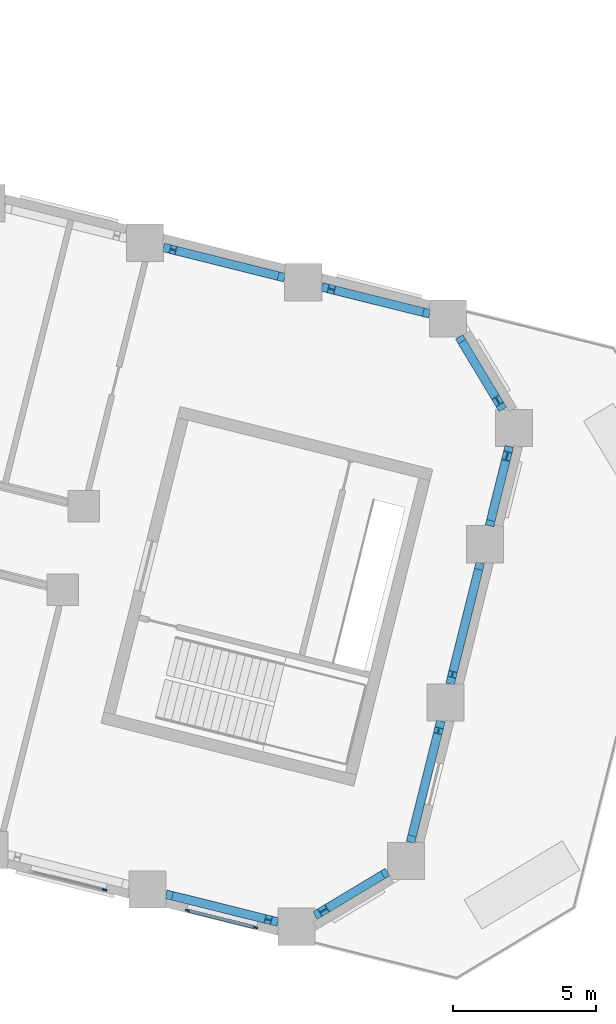
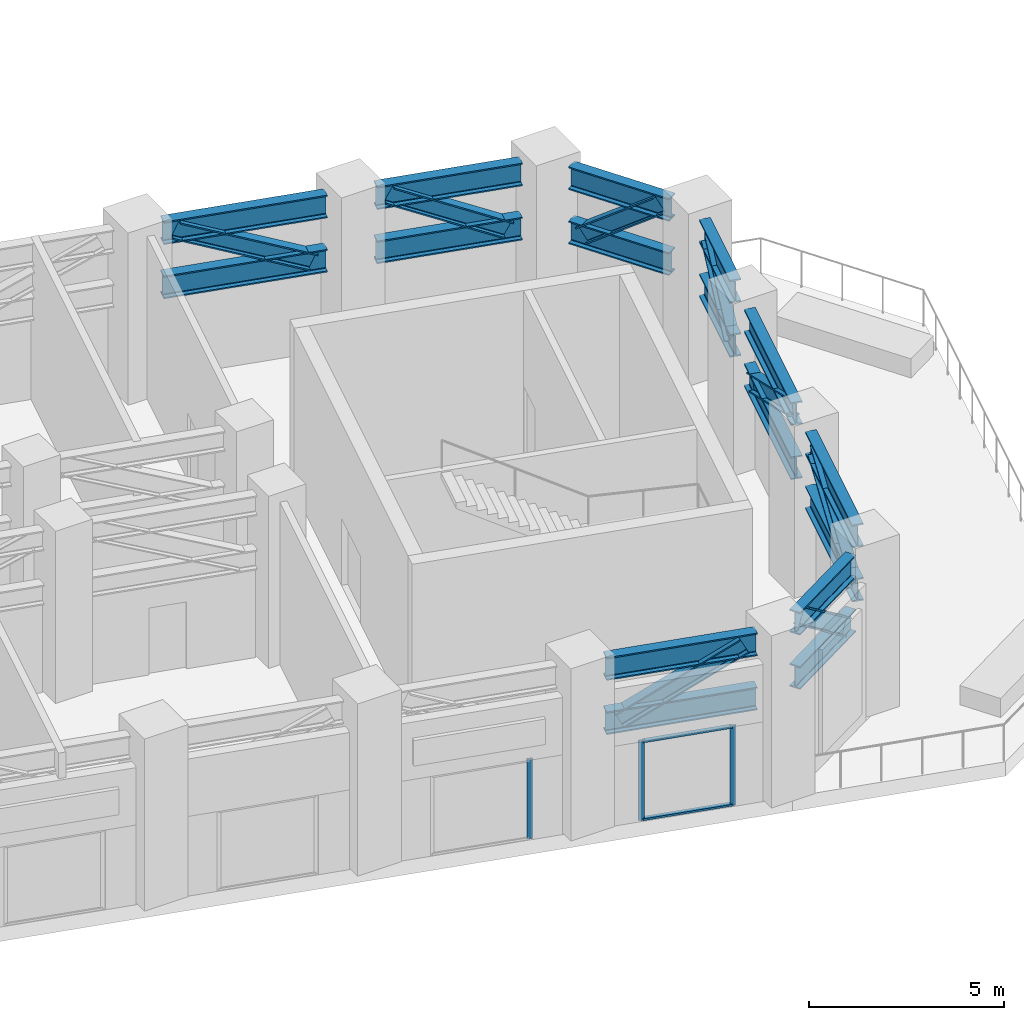
# One storey, part 8 of 21: 16 beams, 13 members, 2 elements without a shape of their own.
"""IFC4 building model written with IfcOpenShell, lengths in metres."""

from ifc_helpers import new_model, si_unit, direction, frame, origin, origin_2d, place, context, subcontext, project, spatial, rectangle, i_section, extrude, material, material_profile, profile_set, type_object, element, aggregate, save


model = new_model("IFC4")

# Units and contexts
model_context = context("Model", 3, precision=1e-05, world=origin(), true_north=direction((0.0, 1.0)))
body_context = subcontext(model_context, "Body", "Model", "MODEL_VIEW")
ifc_project = project(units=[si_unit("LENGTHUNIT", "METRE"), si_unit("AREAUNIT", "SQUARE_METRE"), si_unit("VOLUMEUNIT", "CUBIC_METRE"), si_unit("PLANEANGLEUNIT", "RADIAN"), si_unit("MASSUNIT", "GRAM", prefix="KILO")], contexts=[model_context])

# Site, building, storey
site_placement = place(None, origin())
site = spatial("IfcSite", under=ifc_project, at=site_placement, CompositionType="ELEMENT")
building_placement = place(site_placement, origin())
building = spatial("IfcBuilding", under=site, at=building_placement, Name="Meshkara Civic Tower", CompositionType="ELEMENT")
storey_placement = place(building_placement, frame((0.0, 0.0, 156.0)))
storey = spatial("IfcBuildingStorey", under=building, at=storey_placement, Name="L35", CompositionType="ELEMENT", Elevation=156.0)

# Beams
ifc_material_1 = material(Name="Steel S355", Category="steel")
ifc_material_profile_1 = material_profile(ifc_material_1, i_section(OverallWidth=0.303955078125, OverallDepth=0.716064453125, WebThickness=0.02099609375, FlangeThickness=0.0400390625, FilletRadius=0.027099609375, at=origin_2d()))
ifc_profile_set_1 = profile_set([ifc_material_profile_1], Name="Steel S355")
beam_type = type_object("IfcBeamType", Name="Belt truss chord HEM 700 S355", PredefinedType="BEAM", material=ifc_profile_set_1)
for number, where, z_axis, x_axis, name in (
    (1, (71.419921875, 5.226806640625, 4.741943359375), (-0.970293463154, 0.241930972304, 0.0), (-0.241930972304, -0.970293463154, 0.0), "Belt truss chord BBN07-BN06"),
    (2, (71.419921875, 5.226806640625, 3.0419921875), (-0.970293463154, 0.241930972304, 0.0), (-0.241930972304, -0.970293463154, 0.0), "Belt truss chord BBN07-BN06"),
):
    element("IfcBeam", number, at=place(storey_placement, frame(where, z_axis=z_axis, x_axis=x_axis)), inside=storey, type_object=beam_type, Name=name, PredefinedType="BEAM", context=body_context, shape_type="SweptSolid", body=[
        extrude(i_section(OverallWidth=0.303955078125, OverallDepth=0.716064453125, WebThickness=0.02099609375, FlangeThickness=0.0400390625, FilletRadius=0.027099609375, at=origin_2d()), origin(), (0.0, 0.0, 1.0), 4.37060546875),
    ])
for number, where, z_axis, x_axis, name in (
    (3, (67.272216796875, -16.308837890625, 4.741943359375), (0.970320450045, -0.241822712385, 0.0), (0.241822712385, 0.970320450045, 0.0), "Belt truss chord BBS09-BSEP2"),
    (4, (67.272216796875, -16.308837890625, 3.0419921875), (0.970320450045, -0.241822712385, 0.0), (0.241822712385, 0.970320450045, 0.0), "Belt truss chord BBS09-BSEP2"),
):
    element("IfcBeam", number, at=place(storey_placement, frame(where, z_axis=z_axis, x_axis=x_axis)), inside=storey, type_object=beam_type, Name=name, PredefinedType="BEAM", context=body_context, shape_type="SweptSolid", body=[
        extrude(i_section(OverallWidth=0.303955078125, OverallDepth=0.716064453125, WebThickness=0.02099609375, FlangeThickness=0.0400390625, FilletRadius=0.027099609375, at=origin_2d()), origin(), (0.0, 0.0, 1.0), 4.029296875),
    ])
for number, where, z_axis, x_axis, name in (
    (5, (72.47265625, -17.055908203125, 4.741943359375), (0.857172219409, 0.515029888718, 0.0), (-0.515029888718, 0.857172219409, 0.0), "Belt truss chord BBSEP2-BToEP2"),
    (6, (72.47265625, -17.055908203125, 3.0419921875), (0.857172219409, 0.515029888718, 0.0), (-0.515029888718, 0.857172219409, 0.0), "Belt truss chord BBSEP2-BToEP2"),
):
    element("IfcBeam", number, at=place(storey_placement, frame(where, z_axis=z_axis, x_axis=x_axis)), inside=storey, type_object=beam_type, Name=name, PredefinedType="BEAM", context=body_context, shape_type="SweptSolid", body=[
        extrude(i_section(OverallWidth=0.303955078125, OverallDepth=0.716064453125, WebThickness=0.02099609375, FlangeThickness=0.0400390625, FilletRadius=0.027099609375, at=origin_2d()), origin(), (0.0, 0.0, 1.0), 2.95703125),
    ])
for number, where, z_axis, x_axis, name in (
    (7, (75.813720703125, -14.5, 4.741943359375), (0.241917860119, 0.970296732425, 0.0), (-0.970296732425, 0.241917860119, 0.0), "Belt truss chord BBToEP2-BT01-P2"),
    (8, (75.813720703125, -14.5, 3.0419921875), (0.241917860119, 0.970296732425, 0.0), (-0.970296732425, 0.241917860119, 0.0), "Belt truss chord BBToEP2-BT01-P2"),
):
    element("IfcBeam", number, at=place(storey_placement, frame(where, z_axis=z_axis, x_axis=x_axis)), inside=storey, type_object=beam_type, Name=name, PredefinedType="BEAM", context=body_context, shape_type="SweptSolid", body=[
        extrude(i_section(OverallWidth=0.303955078125, OverallDepth=0.716064453125, WebThickness=0.02099609375, FlangeThickness=0.0400390625, FilletRadius=0.027099609375, at=origin_2d()), origin(), (0.0, 0.0, 1.0), 4.370849609375),
    ])
for number, where, z_axis, x_axis, name in (
    (9, (77.19287109375, -8.968994140625, 4.741943359375), (0.241917717801, 0.970296767909, 0.0), (-0.970296767909, 0.241917717801, 0.0), "Belt truss chord BBT01-P2-BT02-P2"),
    (10, (77.19287109375, -8.968994140625, 3.0419921875), (0.241917717801, 0.970296767909, 0.0), (-0.970296767909, 0.241917717801, 0.0), "Belt truss chord BBT01-P2-BT02-P2"),
):
    element("IfcBeam", number, at=place(storey_placement, frame(where, z_axis=z_axis, x_axis=x_axis)), inside=storey, type_object=beam_type, Name=name, PredefinedType="BEAM", context=body_context, shape_type="SweptSolid", body=[
        extrude(i_section(OverallWidth=0.303955078125, OverallDepth=0.716064453125, WebThickness=0.02099609375, FlangeThickness=0.0400390625, FilletRadius=0.027099609375, at=origin_2d()), origin(), (0.0, 0.0, 1.0), 4.369873046875),
    ])
for number, where, z_axis, x_axis, name in (
    (11, (78.572021484375, -3.43896484375, 4.741943359375), (0.241852125431, 0.970313119268, 0.0), (-0.970313119268, 0.241852125431, 0.0), "Belt truss chord BBT02-P2-BTEP2"),
    (12, (78.572021484375, -3.43896484375, 3.0419921875), (0.241852125431, 0.970313119268, 0.0), (-0.970313119268, 0.241852125431, 0.0), "Belt truss chord BBT02-P2-BTEP2"),
):
    element("IfcBeam", number, at=place(storey_placement, frame(where, z_axis=z_axis, x_axis=x_axis)), inside=storey, type_object=beam_type, Name=name, PredefinedType="BEAM", context=body_context, shape_type="SweptSolid", body=[
        extrude(i_section(OverallWidth=0.303955078125, OverallDepth=0.716064453125, WebThickness=0.02099609375, FlangeThickness=0.0400390625, FilletRadius=0.027099609375, at=origin_2d()), origin(), (0.0, 0.0, 1.0), 2.857666015625),
    ])
for number, where, z_axis, x_axis, name in (
    (13, (79.035888671875, 0.624755859375, 4.741943359375), (-0.515151514659, 0.857099129007, 0.0), (-0.857099129007, -0.515151514659, 0.0), "Belt truss chord BBTEP2-BTi00-P2"),
    (14, (79.035888671875, 0.624755859375, 3.0419921875), (-0.515151514659, 0.857099129007, 0.0), (-0.857099129007, -0.515151514659, 0.0), "Belt truss chord BBTEP2-BTi00-P2"),
):
    element("IfcBeam", number, at=place(storey_placement, frame(where, z_axis=z_axis, x_axis=x_axis)), inside=storey, type_object=beam_type, Name=name, PredefinedType="BEAM", context=body_context, shape_type="SweptSolid", body=[
        extrude(i_section(OverallWidth=0.303955078125, OverallDepth=0.716064453125, WebThickness=0.02099609375, FlangeThickness=0.0400390625, FilletRadius=0.027099609375, at=origin_2d()), origin(), (0.0, 0.0, 1.0), 2.955810546875),
    ])
for number, where, z_axis, x_axis, name in (
    (15, (76.47998046875, 3.96484375, 4.741943359375), (-0.970279110617, 0.24198852762, 0.0), (-0.24198852762, -0.970279110617, 0.0), "Belt truss chord BBTi00-P2-BN07"),
    (16, (76.47998046875, 3.96484375, 3.0419921875), (-0.970279110617, 0.24198852762, 0.0), (-0.24198852762, -0.970279110617, 0.0), "Belt truss chord BBTi00-P2-BN07"),
):
    element("IfcBeam", number, at=place(storey_placement, frame(where, z_axis=z_axis, x_axis=x_axis)), inside=storey, type_object=beam_type, Name=name, PredefinedType="BEAM", context=body_context, shape_type="SweptSolid", body=[
        extrude(i_section(OverallWidth=0.303955078125, OverallDepth=0.716064453125, WebThickness=0.02099609375, FlangeThickness=0.0400390625, FilletRadius=0.027099609375, at=origin_2d()), origin(), (0.0, 0.0, 1.0), 3.88525390625),
    ])

# Curtain wall, member
ifc_material_2 = material(Name="Tinted double glazing", Category="glass")
curtain_wall_type = type_object("IfcCurtainWallType", Name="CW SKY LOBBY BAND", PredefinedType="NOTDEFINED", material=ifc_material_2)
curtain_wall_1_placement = place(storey_placement, origin())
curtain_wall_1 = element("IfcCurtainWall", 17, at=curtain_wall_1_placement, inside=storey, type_object=curtain_wall_type, Name="Curtain wall CW2", PredefinedType="NOTDEFINED")
ifc_material_3 = material(Name="Bronze anodised aluminium", Category="aluminium")
ifc_material_profile_2 = material_profile(ifc_material_3, rectangle(XDim=0.06005859375, YDim=0.159912109375, at=origin_2d()))
ifc_profile_set_2 = profile_set([ifc_material_profile_2], Name="Bronze anodised aluminium")
member_type_1 = type_object("IfcMemberType", Name="CW MULLION 60x160", PredefinedType="MULLION", material=ifc_profile_set_2)
member_1_placement = place(storey_placement, frame((65.1298828125, -16.15576171875, 0.0), z_axis=(0.0, 0.0, 1.0), x_axis=(0.241840556268, 0.970316002828, 0.0)))
member_1 = element("IfcMember", 18, at=member_1_placement, type_object=member_type_1, Name="CW2 mullion 2", PredefinedType="MULLION", context=body_context, shape_type="SweptSolid", body=[
    extrude(rectangle(XDim=0.06005859375, YDim=0.159912109375, at=origin_2d()), origin(), (0.0, 0.0, 1.0), 2.5),
])
aggregate(curtain_wall_1, [member_1])

# Curtain wall, members
curtain_wall_2_placement = place(storey_placement, origin())
curtain_wall_2 = element("IfcCurtainWall", 19, at=curtain_wall_2_placement, inside=storey, type_object=curtain_wall_type, Name="Curtain wall CW2", PredefinedType="NOTDEFINED")
member_2_placement = place(storey_placement, frame((68.024169921875, -16.877197265625, 0.0), z_axis=(0.0, 0.0, 1.0), x_axis=(0.241971875591, 0.970283263497, 0.0)))
member_2 = element("IfcMember", 20, at=member_2_placement, type_object=member_type_1, Name="CW2 mullion 1", PredefinedType="MULLION", context=body_context, shape_type="SweptSolid", body=[
    extrude(rectangle(XDim=0.06005859375, YDim=0.159912109375, at=origin_2d()), origin(), (0.0, 0.0, 1.0), 2.5),
])
member_3_placement = place(storey_placement, frame((70.39599609375, -17.46875, 0.0), z_axis=(0.0, 0.0, 1.0), x_axis=(0.241971875591, 0.970283263497, 0.0)))
member_3 = element("IfcMember", 21, at=member_3_placement, type_object=member_type_1, Name="CW2 mullion 2", PredefinedType="MULLION", context=body_context, shape_type="SweptSolid", body=[
    extrude(rectangle(XDim=0.06005859375, YDim=0.159912109375, at=origin_2d()), origin(), (0.0, 0.0, 1.0), 2.5),
])
ifc_material_4 = material(Name="Bronze anodised aluminium", Category="aluminium")
ifc_material_profile_3 = material_profile(ifc_material_4, rectangle(XDim=0.1201171875, YDim=0.06005859375, at=origin_2d()))
ifc_profile_set_3 = profile_set([ifc_material_profile_3], Name="Bronze anodised aluminium")
member_type_2 = type_object("IfcMemberType", Name="CW TRANSOM 60x120", PredefinedType="USERDEFINED", material=ifc_profile_set_3)
member_4_placement = place(storey_placement, frame((68.05322265625, -16.884521484375, 0.030029296875), z_axis=(0.970286884263, -0.241957356217, 0.0), x_axis=(0.241957356217, 0.970286884263, 0.0)))
member_4 = element("IfcMember", 22, at=member_4_placement, type_object=member_type_2, Name="CW2 transom 1.1", ObjectType="TRANSOM", PredefinedType="USERDEFINED", context=body_context, shape_type="SweptSolid", body=[
    extrude(rectangle(XDim=0.1201171875, YDim=0.06005859375, at=origin_2d()), origin(), (0.0, 0.0, 1.0), 2.38427734375),
])
member_5_placement = place(storey_placement, frame((68.05322265625, -16.884521484375, 2.469970703125), z_axis=(0.970286884263, -0.241957356217, 0.0), x_axis=(0.241957356217, 0.970286884263, 0.0)))
member_5 = element("IfcMember", 23, at=member_5_placement, type_object=member_type_2, Name="CW2 transom 1.2", ObjectType="TRANSOM", PredefinedType="USERDEFINED", context=body_context, shape_type="SweptSolid", body=[
    extrude(rectangle(XDim=0.1201171875, YDim=0.06005859375, at=origin_2d()), origin(), (0.0, 0.0, 1.0), 2.38427734375),
])
aggregate(curtain_wall_2, [member_2, member_3, member_4, member_5])

# Members
ifc_material_5 = material(Name="Steel S355", Category="steel")
ifc_material_profile_4 = material_profile(ifc_material_5, i_section(OverallWidth=0.305908203125, OverallDepth=0.52392578125, WebThickness=0.02392578125, FlangeThickness=0.0400390625, FilletRadius=0.027099609375, at=origin_2d()))
ifc_profile_set_4 = profile_set([ifc_material_profile_4], Name="Steel S355")
member_type_3 = type_object("IfcMemberType", Name="Truss diagonal HEM 500 S355", PredefinedType="BRACE", material=ifc_profile_set_4)
member_6_placement = place(storey_placement, frame((71.080078125, 5.3115234375, 3.0419921875), z_axis=(-0.880443251447, 0.219522321623, 0.420273281677), x_axis=(-0.241925178546, -0.97029490774, 0.0)))
element("IfcMember", 24, at=member_6_placement, inside=storey, type_object=member_type_3, Name="TD-BBN07-BN06-L35", PredefinedType="BRACE", context=body_context, shape_type="SweptSolid", body=[
    extrude(i_section(OverallWidth=0.305908203125, OverallDepth=0.52392578125, WebThickness=0.02392578125, FlangeThickness=0.0400390625, FilletRadius=0.027099609375, at=origin_2d()), origin(), (0.0, 0.0, 1.0), 4.044921875),
])
member_7_placement = place(storey_placement, frame((67.61181640625, -16.393310546875, 3.0419921875), z_axis=(0.864179741723, -0.215391837077, 0.454752383738), x_axis=(0.241845390251, 0.970314797998, 0.0)))
element("IfcMember", 25, at=member_7_placement, inside=storey, type_object=member_type_3, Name="TD-BBS09-BSEP2-L35", PredefinedType="BRACE", context=body_context, shape_type="SweptSolid", body=[
    extrude(i_section(OverallWidth=0.305908203125, OverallDepth=0.52392578125, WebThickness=0.02392578125, FlangeThickness=0.0400390625, FilletRadius=0.027099609375, at=origin_2d()), origin(), (0.0, 0.0, 1.0), 3.73828125),
])
member_8_placement = place(storey_placement, frame((72.772705078125, -16.875732421875, 4.741943359375), z_axis=(0.684681964876, 0.41137945921, -0.601645699323), x_axis=(-0.515020625362, 0.857177785207, 0.0)))
element("IfcMember", 26, at=member_8_placement, inside=storey, type_object=member_type_3, Name="TD-BBSEP2-BToEP2-L35", PredefinedType="BRACE", context=body_context, shape_type="SweptSolid", body=[
    extrude(i_section(OverallWidth=0.305908203125, OverallDepth=0.52392578125, WebThickness=0.02392578125, FlangeThickness=0.0400390625, FilletRadius=0.027099609375, at=origin_2d()), origin(), (0.0, 0.0, 1.0), 2.825439453125),
])
member_9_placement = place(storey_placement, frame((75.8984375, -14.16015625, 3.0419921875), z_axis=(0.219579769898, 0.88043158425, 0.420267712424), x_axis=(-0.970279291667, 0.241987801679, 0.0)))
element("IfcMember", 27, at=member_9_placement, inside=storey, type_object=member_type_3, Name="TD-BBToEP2-BT01-P2-L35", PredefinedType="BRACE", context=body_context, shape_type="SweptSolid", body=[
    extrude(i_section(OverallWidth=0.305908203125, OverallDepth=0.52392578125, WebThickness=0.02392578125, FlangeThickness=0.0400390625, FilletRadius=0.027099609375, at=origin_2d()), origin(), (0.0, 0.0, 1.0), 4.044921875),
])
member_10_placement = place(storey_placement, frame((77.277587890625, -8.62939453125, 4.741943359375), z_axis=(0.219488199345, 0.880427774325, -0.420323523663), x_axis=(-0.970302736393, 0.241893777821, 0.0)))
element("IfcMember", 28, at=member_10_placement, inside=storey, type_object=member_type_3, Name="TD-BBT01-P2-BT02-P2-L35", PredefinedType="BRACE", context=body_context, shape_type="SweptSolid", body=[
    extrude(i_section(OverallWidth=0.305908203125, OverallDepth=0.52392578125, WebThickness=0.02392578125, FlangeThickness=0.0400390625, FilletRadius=0.027099609375, at=origin_2d()), origin(), (0.0, 0.0, 1.0), 4.04443359375),
])
member_11_placement = place(storey_placement, frame((78.656494140625, -3.09912109375, 3.0419921875), z_axis=(0.190040398551, 0.762117108127, 0.61892015674), x_axis=(-0.970288773927, 0.241949778243, 0.0)))
element("IfcMember", 29, at=member_11_placement, inside=storey, type_object=member_type_3, Name="TD-BBT02-P2-BTEP2-L35", PredefinedType="BRACE", context=body_context, shape_type="SweptSolid", body=[
    extrude(i_section(OverallWidth=0.305908203125, OverallDepth=0.52392578125, WebThickness=0.02392578125, FlangeThickness=0.0400390625, FilletRadius=0.027099609375, at=origin_2d()), origin(), (0.0, 0.0, 1.0), 2.74658203125),
])
member_12_placement = place(storey_placement, frame((78.855712890625, 0.9248046875, 4.741943359375), z_axis=(-0.411476819179, 0.684498300335, -0.601788089045), x_axis=(-0.857062949397, -0.515211704808, 0.0)))
element("IfcMember", 30, at=member_12_placement, inside=storey, type_object=member_type_3, Name="TD-BBTEP2-BTi00-P2-L35", PredefinedType="BRACE", context=body_context, shape_type="SweptSolid", body=[
    extrude(i_section(OverallWidth=0.305908203125, OverallDepth=0.52392578125, WebThickness=0.02392578125, FlangeThickness=0.0400390625, FilletRadius=0.027099609375, at=origin_2d()), origin(), (0.0, 0.0, 1.0), 2.824951171875),
])
member_13_placement = place(storey_placement, frame((76.140380859375, 4.049560546875, 3.0419921875), z_axis=(-0.856001866141, 0.21347641136, 0.47083821739), x_axis=(-0.241976508071, -0.970282108225, 0.0)))
element("IfcMember", 31, at=member_13_placement, inside=storey, type_object=member_type_3, Name="TD-BBTi00-P2-BN07-L35", PredefinedType="BRACE", context=body_context, shape_type="SweptSolid", body=[
    extrude(i_section(OverallWidth=0.305908203125, OverallDepth=0.52392578125, WebThickness=0.02392578125, FlangeThickness=0.0400390625, FilletRadius=0.027099609375, at=origin_2d()), origin(), (0.0, 0.0, 1.0), 3.610595703125),
])

save(model, "model.ifc")
